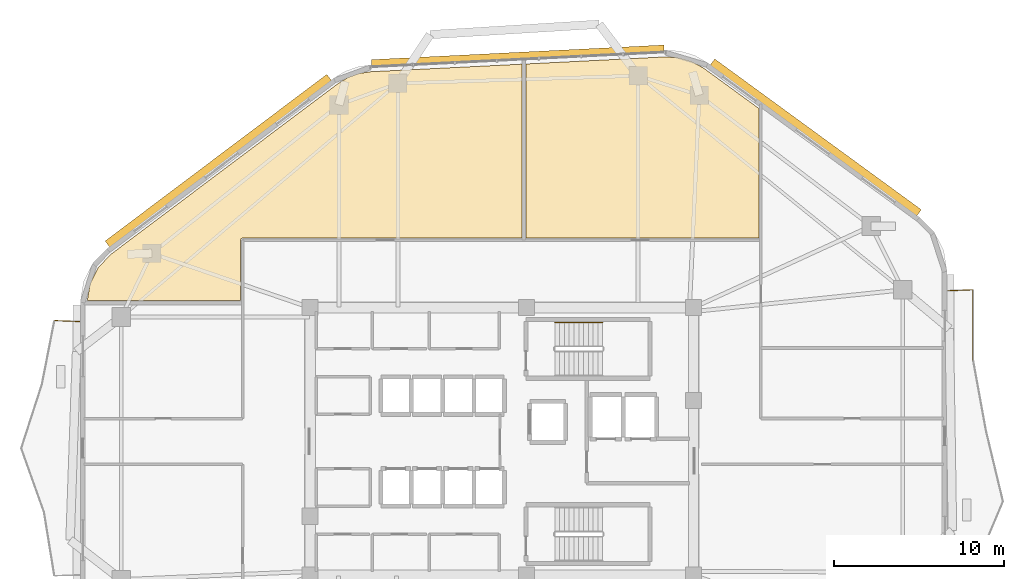
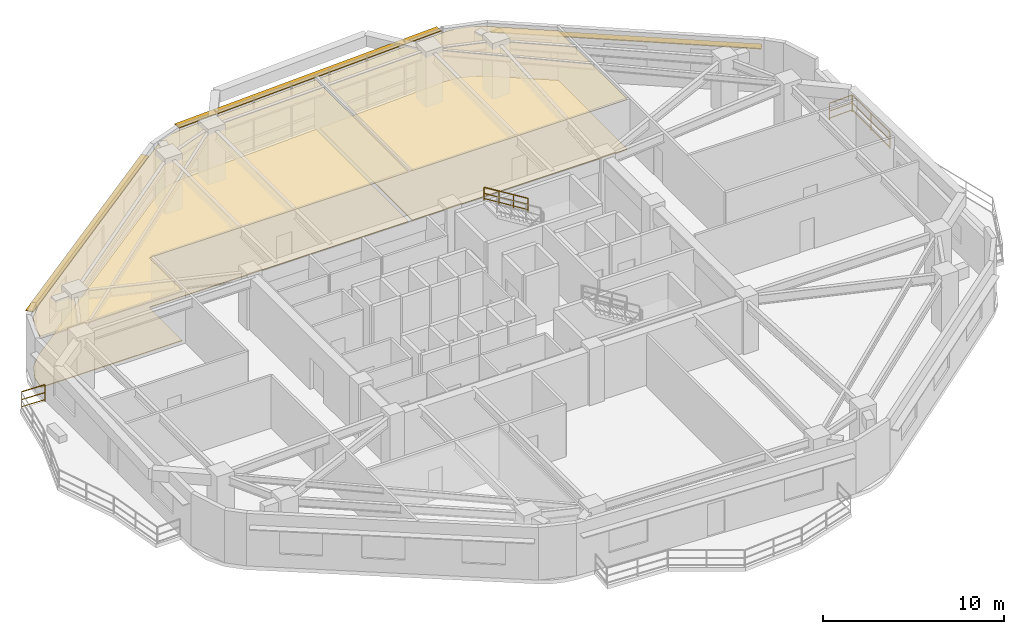
# One storey, part 14 of 14: 4 coverings, 4 railings, 3 shading devices.
"""IFC4 building model written with IfcOpenShell, lengths in metres."""

from ifc_helpers import new_model, si_unit, direction, frame, origin, origin_2d, place, context, subcontext, project, spatial, polyline, rectangle, outline, extrude, material, layer, layer_set, type_object, element, save


model = new_model("IFC4")

# Units and contexts
model_context = context("Model", 3, precision=1e-05, world=origin(), true_north=direction((0.0, 1.0)))
body_context = subcontext(model_context, "Body", "Model", "MODEL_VIEW")
ifc_project = project(units=[si_unit("LENGTHUNIT", "METRE"), si_unit("AREAUNIT", "SQUARE_METRE"), si_unit("VOLUMEUNIT", "CUBIC_METRE"), si_unit("PLANEANGLEUNIT", "RADIAN"), si_unit("MASSUNIT", "GRAM", prefix="KILO")], contexts=[model_context])

# Site, building, storey
site_placement = place(None, origin())
site = spatial("IfcSite", under=ifc_project, at=site_placement, CompositionType="ELEMENT")
building_placement = place(site_placement, origin())
building = spatial("IfcBuilding", under=site, at=building_placement, Name="Zulverin Broadcast Headquarters", CompositionType="ELEMENT")
storey_placement = place(building_placement, frame((0.0, 0.0, 147.800048828125)))
storey = spatial("IfcBuildingStorey", under=building, at=storey_placement, Name="L37", CompositionType="ELEMENT", Elevation=147.800048828125)

# Coverings
ifc_material_1 = material(Name="Perforated pale-metal acoustic baffle ceiling", Category="aluminium")
ifc_layer_1 = layer(ifc_material_1, 0.0400390625, Name="Perforated pale-metal acoustic baffle ceiling", Category="aluminium")
ifc_layer_set_1 = layer_set([ifc_layer_1], Name="Perforated pale-metal acoustic baffle ceiling")
covering_type_1 = type_object("IfcCoveringType", Name="COV-CEIL-ACOU", PredefinedType="CEILING", material=ifc_layer_set_1)
covering_1_placement = place(storey_placement, frame((0.0, 0.0, 3.35986328125)))
element("IfcCovering", 1, at=covering_1_placement, inside=storey, type_object=covering_type_1, Name="L37 Acoustic Baffle Ceiling 01", PredefinedType="CEILING", context=body_context, shape_type="SweptSolid", body=[
    extrude(outline(polyline([(14.02001953125, 36.23193359375), (13.251953125, 35.43994140625), (12.77197265625, 34.47998046875), (12.615966796875, 33.5), (21.632080078125, 33.5), (21.632080078125, 37.052001953125), (21.632080078125, 37.06396484375), (21.635986328125, 37.075927734375), (21.635986328125, 37.087890625), (21.639892578125, 37.095947265625), (21.64794921875, 37.10791015625), (21.652099609375, 37.1201171875), (21.659912109375, 37.1279296875), (21.66796875, 37.135986328125), (21.676025390625, 37.14404296875), (21.68408203125, 37.152099609375), (21.696044921875, 37.156005859375), (21.7080078125, 37.1640625), (21.716064453125, 37.16796875), (21.72802734375, 37.16796875), (21.739990234375, 37.172119140625), (21.751953125, 37.172119140625), (38.179931640625, 37.172119140625), (38.179931640625, 47.404052734375), (29.303955078125, 46.9599609375), (28.60009765625, 46.85595703125), (27.951904296875, 46.6201171875), (27.343994140625, 46.248046875), (14.02001953125, 36.23193359375)])), origin(), (0.0, 0.0, 1.0), 0.0400390625),
])
covering_2_placement = place(storey_placement, frame((0.0, 0.0, 3.35986328125)))
element("IfcCovering", 2, at=covering_2_placement, inside=storey, type_object=covering_type_1, Name="L37 Acoustic Baffle Ceiling 02", PredefinedType="CEILING", context=body_context, shape_type="SweptSolid", body=[
    extrude(outline(polyline([(52.132080078125, 37.172119140625), (52.132080078125, 44.7958984375), (48.904052734375, 47.152099609375), (48.19189453125, 47.552001953125), (47.43603515625, 47.77587890625), (46.6240234375, 47.83203125), (38.419921875, 47.416015625), (38.419921875, 37.172119140625), (52.132080078125, 37.172119140625)])), origin(), (0.0, 0.0, 1.0), 0.0400390625),
])
ifc_material_2 = material(Name="Anti-static broadcast raised access flooring", Category="stone")
ifc_layer_2 = layer(ifc_material_2, 0.050048828125, Name="Anti-static broadcast raised access flooring", Category="stone")
ifc_layer_set_2 = layer_set([ifc_layer_2], Name="Anti-static broadcast raised access flooring")
covering_type_2 = type_object("IfcCoveringType", Name="COV-FLR-RAISED", PredefinedType="FLOORING", material=ifc_layer_set_2)
covering_3_placement = place(storey_placement, origin())
element("IfcCovering", 3, at=covering_3_placement, inside=storey, type_object=covering_type_2, Name="L37 Broadcast Raised Access Flooring 01", PredefinedType="FLOORING", context=body_context, shape_type="SweptSolid", body=[
    extrude(outline(polyline([(14.02001953125, 36.23193359375), (13.251953125, 35.43994140625), (12.77197265625, 34.47998046875), (12.615966796875, 33.5), (21.632080078125, 33.5), (21.632080078125, 37.052001953125), (21.632080078125, 37.06396484375), (21.635986328125, 37.075927734375), (21.635986328125, 37.087890625), (21.639892578125, 37.095947265625), (21.64794921875, 37.10791015625), (21.652099609375, 37.1201171875), (21.659912109375, 37.1279296875), (21.66796875, 37.135986328125), (21.676025390625, 37.14404296875), (21.68408203125, 37.152099609375), (21.696044921875, 37.156005859375), (21.7080078125, 37.1640625), (21.716064453125, 37.16796875), (21.72802734375, 37.16796875), (21.739990234375, 37.172119140625), (21.751953125, 37.172119140625), (38.179931640625, 37.172119140625), (38.179931640625, 47.404052734375), (29.303955078125, 46.9599609375), (28.60009765625, 46.85595703125), (27.951904296875, 46.6201171875), (27.343994140625, 46.248046875), (14.02001953125, 36.23193359375)])), origin(), (0.0, 0.0, 1.0), 0.050048828125),
])
covering_4_placement = place(storey_placement, origin())
element("IfcCovering", 4, at=covering_4_placement, inside=storey, type_object=covering_type_2, Name="L37 Broadcast Raised Access Flooring 02", PredefinedType="FLOORING", context=body_context, shape_type="SweptSolid", body=[
    extrude(outline(polyline([(52.132080078125, 37.172119140625), (52.132080078125, 44.7958984375), (48.904052734375, 47.152099609375), (48.19189453125, 47.552001953125), (47.43603515625, 47.77587890625), (46.6240234375, 47.83203125), (38.419921875, 47.416015625), (38.419921875, 37.172119140625), (52.132080078125, 37.172119140625)])), origin(), (0.0, 0.0, 1.0), 0.050048828125),
])

# Railings
ifc_material_3 = material(Name="Brushed stainless steel & laminated glass balustrade", Category="steel")
railing_type_1 = type_object("IfcRailingType", Name="RL-GUARD-1150", PredefinedType="GUARDRAIL", material=ifc_material_3)
railing_1_placement = place(storey_placement, frame((64.719970703125, 29.991943359375, 0.0)))
element("IfcRailing", 5, at=railing_1_placement, inside=storey, type_object=railing_type_1, Name="L37 Vertical-Forest Balcony Guardrail BAL_E Segment 05", PredefinedType="GUARDRAIL", context=body_context, shape_type="SweptSolid", body=[
    extrude(rectangle(XDim=0.048095703125, YDim=0.048095703125, at=origin_2d()), frame((0.0, 0.0, 1.1259765625), z_axis=(0.0, 1.0, 0.0), x_axis=(-1.0, 0.0, 0.0)), (0.0, 0.0, 1.0), 4.123046875),
    extrude(rectangle(XDim=0.0419921875, YDim=0.0419921875, at=origin_2d()), frame((0.0, 0.0, 0.597900390625), z_axis=(0.0, 1.0, 0.0), x_axis=(-1.0, 0.0, 0.0)), (0.0, 0.0, 1.0), 4.123046875),
    extrude(rectangle(XDim=0.0419921875, YDim=0.0419921875, at=origin_2d()), frame((0.0, 0.0, 0.1201171875), z_axis=(0.0, 1.0, 0.0), x_axis=(-1.0, 0.0, 0.0)), (0.0, 0.0, 1.0), 4.123046875),
    extrude(rectangle(XDim=0.0419921875, YDim=0.0419921875, at=origin_2d()), origin(), (0.0, 0.0, 1.0), 1.101806640625),
    extrude(rectangle(XDim=0.0419921875, YDim=0.0419921875, at=origin_2d()), frame((0.0, 2.0615234375, 0.0)), (0.0, 0.0, 1.0), 1.101806640625),
    extrude(rectangle(XDim=0.0419921875, YDim=0.0419921875, at=origin_2d()), frame((0.0, 4.123046875, 0.0)), (0.0, 0.0, 1.0), 1.101806640625),
])
railing_2_placement = place(storey_placement, frame((64.705078125, 34.12939453125, 0.0)))
element("IfcRailing", 6, at=railing_2_placement, inside=storey, type_object=railing_type_1, Name="L37 Vertical-Forest Balcony Guardrail BAL_E Segment 06", PredefinedType="GUARDRAIL", context=body_context, shape_type="SweptSolid", body=[
    extrude(rectangle(XDim=0.048095703125, YDim=0.048095703125, at=origin_2d()), frame((0.0, 0.0, 1.1259765625), z_axis=(-0.999174410196, -0.040626321628, 0.0), x_axis=(0.040626321628, -0.999174410196, 0.0)), (0.0, 0.0, 1.0), 1.46630859375),
    extrude(rectangle(XDim=0.0419921875, YDim=0.0419921875, at=origin_2d()), frame((0.0, 0.0, 0.597900390625), z_axis=(-0.999174410196, -0.040626321628, 0.0), x_axis=(0.040626321628, -0.999174410196, 0.0)), (0.0, 0.0, 1.0), 1.46630859375),
    extrude(rectangle(XDim=0.0419921875, YDim=0.0419921875, at=origin_2d()), frame((0.0, 0.0, 0.1201171875), z_axis=(-0.999174410196, -0.040626321628, 0.0), x_axis=(0.040626321628, -0.999174410196, 0.0)), (0.0, 0.0, 1.0), 1.46630859375),
    extrude(rectangle(XDim=0.0419921875, YDim=0.0419921875, at=origin_2d()), origin(), (0.0, 0.0, 1.0), 1.101806640625),
    extrude(rectangle(XDim=0.0419921875, YDim=0.0419921875, at=origin_2d()), frame((-1.465087890625, -0.0595703125, 0.0)), (0.0, 0.0, 1.0), 1.101806640625),
])
railing_3_placement = place(storey_placement, frame((12.159912109375, 32.2587890625, 0.0)))
element("IfcRailing", 7, at=railing_3_placement, inside=storey, type_object=railing_type_1, Name="L37 Vertical-Forest Balcony Guardrail BAL_W Segment 01", PredefinedType="GUARDRAIL", context=body_context, shape_type="SweptSolid", body=[
    extrude(rectangle(XDim=0.048095703125, YDim=0.048095703125, at=origin_2d()), frame((0.0, 0.0, 1.1259765625), z_axis=(-0.999174135318, 0.040633081503, 0.0), x_axis=(-0.040633081503, -0.999174135318, 0.0)), (0.0, 0.0, 1.0), 1.466064453125),
    extrude(rectangle(XDim=0.0419921875, YDim=0.0419921875, at=origin_2d()), frame((0.0, 0.0, 0.597900390625), z_axis=(-0.999174135318, 0.040633081503, 0.0), x_axis=(-0.040633081503, -0.999174135318, 0.0)), (0.0, 0.0, 1.0), 1.466064453125),
    extrude(rectangle(XDim=0.0419921875, YDim=0.0419921875, at=origin_2d()), frame((0.0, 0.0, 0.1201171875), z_axis=(-0.999174135318, 0.040633081503, 0.0), x_axis=(-0.040633081503, -0.999174135318, 0.0)), (0.0, 0.0, 1.0), 1.466064453125),
    extrude(rectangle(XDim=0.0419921875, YDim=0.0419921875, at=origin_2d()), origin(), (0.0, 0.0, 1.0), 1.101806640625),
    extrude(rectangle(XDim=0.0419921875, YDim=0.0419921875, at=origin_2d()), frame((-1.46484375, 0.0595703125, 0.0)), (0.0, 0.0, 1.0), 1.101806640625),
])
ifc_material_4 = material(Name="Brushed stainless steel 48 mm handrail", Category="steel")
railing_type_2 = type_object("IfcRailingType", Name="RL-ST-HAND", PredefinedType="HANDRAIL", material=ifc_material_4)
railing_4_placement = place(storey_placement, frame((42.929931640625, 32.199951171875, 2.07275390625)))
element("IfcRailing", 8, at=railing_4_placement, inside=storey, type_object=railing_type_2, Name="L37 ST-1 stair handrail 2", PredefinedType="HANDRAIL", context=body_context, shape_type="SweptSolid", body=[
    extrude(rectangle(XDim=0.048095703125, YDim=0.048095703125, at=origin_2d()), frame((0.0, 0.0, 0.8759765625), z_axis=(-0.851089632645, 0.0, 0.525020415988), x_axis=(0.0, -1.0, 0.0)), (0.0, 0.0, 1.0), 3.2900390625),
    extrude(rectangle(XDim=0.0419921875, YDim=0.0419921875, at=origin_2d()), frame((0.0, 0.0, 0.468017578125), z_axis=(-0.851089632645, 0.0, 0.525020415988), x_axis=(0.0, -1.0, 0.0)), (0.0, 0.0, 1.0), 3.2900390625),
    extrude(rectangle(XDim=0.0419921875, YDim=0.0419921875, at=origin_2d()), frame((0.0, 0.0, 0.1201171875), z_axis=(-0.851089632645, 0.0, 0.525020415988), x_axis=(0.0, -1.0, 0.0)), (0.0, 0.0, 1.0), 3.2900390625),
    extrude(rectangle(XDim=0.0419921875, YDim=0.0419921875, at=origin_2d()), origin(), (0.0, 0.0, 1.0), 0.851806640625),
    extrude(rectangle(XDim=0.0419921875, YDim=0.0419921875, at=origin_2d()), frame((-0.933349609375, 0.0, 0.57568359375)), (0.0, 0.0, 1.0), 0.851806640625),
    extrude(rectangle(XDim=0.0419921875, YDim=0.0419921875, at=origin_2d()), frame((-1.86669921875, 0.0, 1.151611328125)), (0.0, 0.0, 1.0), 0.851806640625),
    extrude(rectangle(XDim=0.0419921875, YDim=0.0419921875, at=origin_2d()), frame((-2.800048828125, 0.0, 1.727294921875)), (0.0, 0.0, 1.0), 0.851806640625),
])

# Shading devices
ifc_material_5 = material(Name="Anodized pale-metal aluminium sunshade", Category="aluminium")
ifc_layer_3 = layer(ifc_material_5, 0.06005859375, Name="Anodized pale-metal aluminium sunshade", Category="aluminium")
ifc_layer_set_3 = layer_set([ifc_layer_3], Name="Anodized pale-metal aluminium sunshade")
shading_device_type = type_object("IfcShadingDeviceType", Name="SS-01_PALE_METAL_ALUMINIUM_SUNSHADE", PredefinedType="USERDEFINED", material=ifc_layer_set_3)
shading_device_1_placement = place(storey_placement, frame((55.476806640625, 43.0947265625, 2.7099609375), z_axis=(0.0, 0.0, 1.0), x_axis=(-0.807814001495, 0.589437476742, 0.0)))
element("IfcShadingDevice", 9, at=shading_device_1_placement, inside=storey, type_object=shading_device_type, Name="L37 Horizontal Pale-Metal Sunshade Band 4", ObjectType="SUNSHADE", PredefinedType="USERDEFINED", context=body_context, shape_type="SweptSolid", body=[
    extrude(rectangle(XDim=15.048583984375, YDim=0.449951171875, at=origin_2d()), origin(), (0.0, 0.0, 1.0), 0.06005859375),
])
shading_device_2_placement = place(storey_placement, frame((37.941162109375, 47.875244140625, 3.309814453125), z_axis=(0.0, 0.0, 1.0), x_axis=(-0.998743962301, -0.050104867704, 0.0)))
element("IfcShadingDevice", 10, at=shading_device_2_placement, inside=storey, type_object=shading_device_type, Name="L37 Pale-Metal Horizontal Sunshade Band CW-L37-E5", ObjectType="SUNSHADE", PredefinedType="USERDEFINED", context=body_context, shape_type="SweptSolid", body=[
    extrude(rectangle(XDim=17.24169921875, YDim=0.449951171875, at=origin_2d()), origin(), (0.0, 0.0, 1.0), 0.06005859375),
])
shading_device_3_placement = place(storey_placement, frame((20.31640625, 41.718994140625, 2.7099609375), z_axis=(0.0, 0.0, 1.0), x_axis=(-0.799275780179, -0.60096441427, 0.0)))
element("IfcShadingDevice", 11, at=shading_device_3_placement, inside=storey, type_object=shading_device_type, Name="L37 Horizontal Pale-Metal Sunshade Band 6", ObjectType="SUNSHADE", PredefinedType="USERDEFINED", context=body_context, shape_type="SweptSolid", body=[
    extrude(rectangle(XDim=16.316162109375, YDim=0.449951171875, at=origin_2d()), origin(), (0.0, 0.0, 1.0), 0.06005859375),
])

save(model, "model.ifc")
